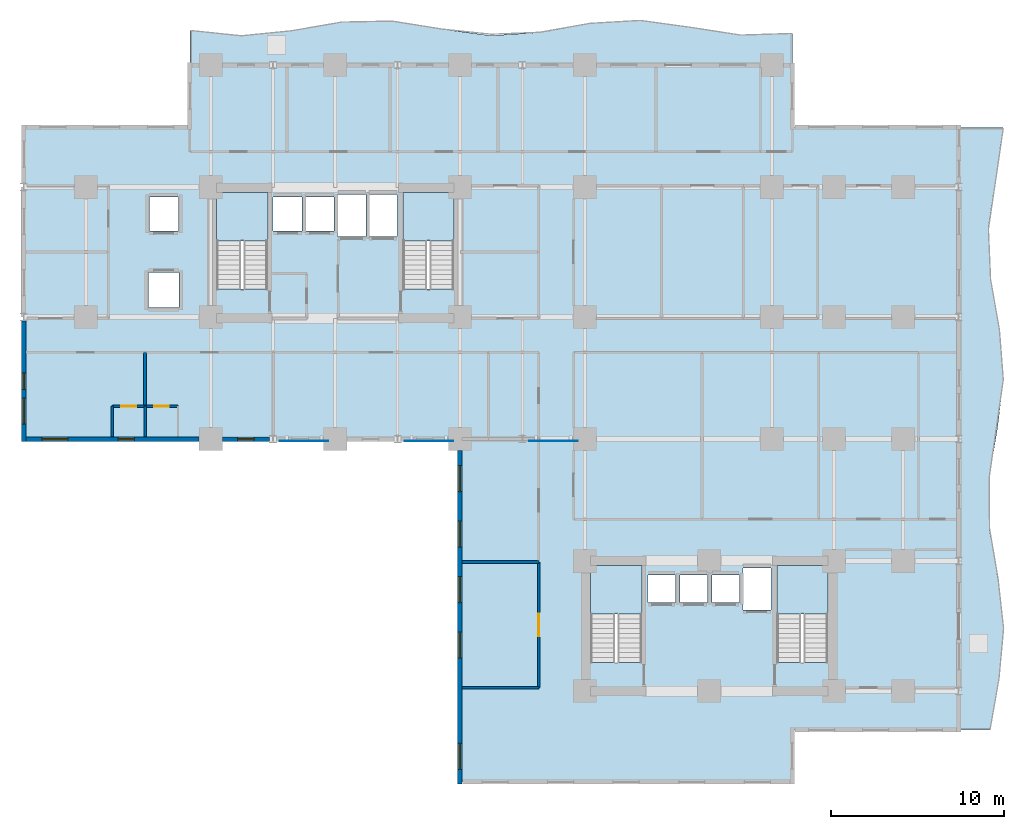
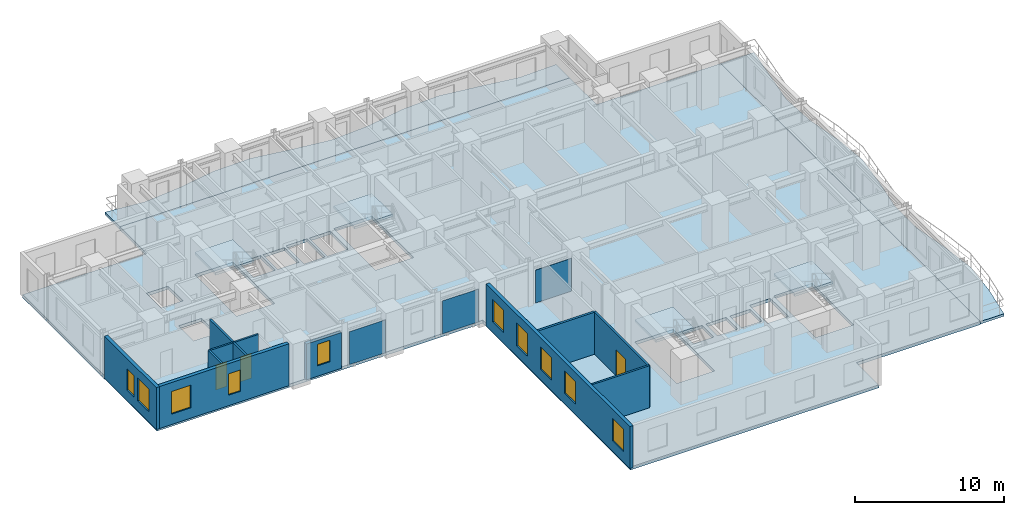
# One storey, part 2 of 11: 12 walls, 10 windows, 7 slabs, 3 doors, 3 plates, 13 openings, 4 elements without a shape of their own.
"""IFC4 building model written with IfcOpenShell, lengths in metres."""

from ifc_helpers import new_model, si_unit, direction, frame, frame_2d, origin, origin_2d, place, context, subcontext, project, spatial, polyline, rectangle, outline, extrude, source, transform, mapped, material, layer, layer_set, type_object, element, fill, aggregate, save


model = new_model("IFC4")

# Units and contexts
model_context = context("Model", 3, precision=1e-05, world=origin(), true_north=direction((0.0, 1.0)))
body_context = subcontext(model_context, "Body", "Model", "MODEL_VIEW")
ifc_project = project(units=[si_unit("LENGTHUNIT", "METRE"), si_unit("AREAUNIT", "SQUARE_METRE"), si_unit("VOLUMEUNIT", "CUBIC_METRE"), si_unit("PLANEANGLEUNIT", "RADIAN"), si_unit("MASSUNIT", "GRAM", prefix="KILO")], contexts=[model_context])

# Site, building, storey
site_placement = place(None, origin())
site = spatial("IfcSite", under=ifc_project, at=site_placement, CompositionType="ELEMENT")
building_placement = place(site_placement, origin())
building = spatial("IfcBuilding", under=site, at=building_placement, Name="Kaliganga Portal Commons", CompositionType="ELEMENT")
storey_placement = place(building_placement, frame((0.0, 0.0, 58.60009765625)))
storey = spatial("IfcBuildingStorey", under=building, at=storey_placement, Name="L14", CompositionType="ELEMENT", Elevation=58.60009765625)

# Slabs
ifc_material_1 = material(Name="Concrete C40/50", Category="concrete")
ifc_layer_1 = layer(ifc_material_1, 0.2099609375)
ifc_layer_set_1 = layer_set([ifc_layer_1], Name="Concrete C40/50")
slab_type_1 = type_object("IfcSlabType", Name="SLB-BALC-210", PredefinedType="FLOOR", material=ifc_layer_set_1)
slab_1_placement = place(storey_placement, frame((0.0, 0.0, -0.210205078125)))
element("IfcSlab", 1, at=slab_1_placement, inside=storey, type_object=slab_type_1, Name="Scalloped Tree-Planter Balcony Slab L14 balc_north", PredefinedType="FLOOR", context=body_context, shape_type="SweptSolid", body=[
    extrude(outline(polyline([(48.0, 43.199951171875), (48.0, 45.020263671875), (45.10009765625, 44.927978515625), (42.199951171875, 45.376708984375), (39.300048828125, 45.781982421875), (36.39990234375, 45.615478515625), (33.5, 45.094482421875), (30.60009765625, 44.8974609375), (27.699951171875, 45.28125), (24.800048828125, 45.745849609375), (21.89990234375, 45.685791015625), (19.0, 45.1796875), (16.10009765625, 44.886474609375), (13.199951171875, 45.1884765625), (13.199951171875, 43.199951171875), (48.0, 43.199951171875)])), origin(), (0.0, 0.0, 1.0), 0.210205078125),
])
slab_2_placement = place(storey_placement, frame((0.0, 0.0, -0.210205078125)))
element("IfcSlab", 2, at=slab_2_placement, inside=storey, type_object=slab_type_1, Name="Scalloped Tree-Planter Balcony Slab L14 balc_east", PredefinedType="FLOOR", context=body_context, shape_type="SweptSolid", body=[
    extrude(outline(polyline([(57.60009765625, 4.800048828125), (59.42041015625, 4.800048828125), (59.933349609375, 7.699951171875), (60.19873046875, 10.60009765625), (59.87060546875, 13.5), (59.376708984375, 16.39990234375), (59.360107421875, 19.300048828125), (59.843017578125, 22.199951171875), (60.19580078125, 25.10009765625), (59.958984375, 28.0), (59.441162109375, 30.89990234375), (59.31689453125, 33.800048828125), (59.748046875, 36.699951171875), (60.173095703125, 39.60009765625), (57.60009765625, 39.60009765625), (57.60009765625, 4.800048828125)])), origin(), (0.0, 0.0, 1.0), 0.210205078125),
])

# Stair, slab
stair_type = type_object("IfcStairType", Name="ST-CORE-DOGLEG", PredefinedType="HALF_TURN_STAIR", material=ifc_material_1)
stair_1_placement = place(storey_placement, origin())
stair_1 = element("IfcStair", 3, at=stair_1_placement, inside=storey, type_object=stair_type, Name="L14 Protected Exit Stair ST-A1", PredefinedType="HALF_TURN_STAIR")
ifc_layer_2 = layer(ifc_material_1, 0.199951171875)
ifc_layer_set_2 = layer_set([ifc_layer_2], Name="Concrete C40/50")
slab_type_2 = type_object("IfcSlabType", Name="SLB-STAIR-LND", PredefinedType="LANDING", material=ifc_layer_set_2)
slab_3_placement = place(storey_placement, frame((0.0, 0.0, 1.64990234375)))
slab_3 = element("IfcSlab", 4, at=slab_3_placement, type_object=slab_type_2, Name="ST-A1 landing 1", PredefinedType="LANDING", context=body_context, shape_type="SweptSolid", body=[
    extrude(outline(polyline([(17.699951171875, 33.050048828125), (17.699951171875, 35.85009765625), (14.75, 35.85009765625), (14.75, 33.050048828125), (17.699951171875, 33.050048828125)])), origin(), (0.0, 0.0, 1.0), 0.199951171875),
])
aggregate(stair_1, [slab_3])

stair_2_placement = place(storey_placement, origin())
stair_2 = element("IfcStair", 5, at=stair_2_placement, inside=storey, type_object=stair_type, Name="L14 Protected Exit Stair ST-A2", PredefinedType="HALF_TURN_STAIR")
slab_4_placement = place(storey_placement, frame((0.0, 0.0, 1.64990234375)))
slab_4 = element("IfcSlab", 6, at=slab_4_placement, type_object=slab_type_2, Name="ST-A2 landing 1", PredefinedType="LANDING", context=body_context, shape_type="SweptSolid", body=[
    extrude(outline(polyline([(28.449951171875, 33.050048828125), (28.449951171875, 35.85009765625), (25.5, 35.85009765625), (25.5, 33.050048828125), (28.449951171875, 33.050048828125)])), origin(), (0.0, 0.0, 1.0), 0.199951171875),
])
aggregate(stair_2, [slab_4])

stair_3_placement = place(storey_placement, origin())
stair_3 = element("IfcStair", 7, at=stair_3_placement, inside=storey, type_object=stair_type, Name="L14 Protected Exit Stair ST-B1", PredefinedType="HALF_TURN_STAIR")
slab_5_placement = place(storey_placement, frame((0.0, 0.0, 1.64990234375)))
slab_5 = element("IfcSlab", 8, at=slab_5_placement, type_object=slab_type_2, Name="ST-B1 landing 1", PredefinedType="LANDING", context=body_context, shape_type="SweptSolid", body=[
    extrude(outline(polyline([(39.300048828125, 11.5), (39.300048828125, 14.300048828125), (36.35009765625, 14.300048828125), (36.35009765625, 11.5), (39.300048828125, 11.5)])), origin(), (0.0, 0.0, 1.0), 0.199951171875),
])
aggregate(stair_3, [slab_5])

stair_4_placement = place(storey_placement, origin())
stair_4 = element("IfcStair", 9, at=stair_4_placement, inside=storey, type_object=stair_type, Name="L14 Protected Exit Stair ST-B2", PredefinedType="HALF_TURN_STAIR")
slab_6_placement = place(storey_placement, frame((0.0, 0.0, 1.64990234375)))
slab_6 = element("IfcSlab", 10, at=slab_6_placement, type_object=slab_type_2, Name="ST-B2 landing 1", PredefinedType="LANDING", context=body_context, shape_type="SweptSolid", body=[
    extrude(outline(polyline([(50.050048828125, 11.5), (50.050048828125, 14.300048828125), (47.10009765625, 14.300048828125), (47.10009765625, 11.5), (50.050048828125, 11.5)])), origin(), (0.0, 0.0, 1.0), 0.199951171875),
])
aggregate(stair_4, [slab_6])

# Slab
ifc_layer_3 = layer(ifc_material_1, 0.25)
ifc_layer_set_3 = layer_set([ifc_layer_3], Name="Concrete C40/50")
slab_type_3 = type_object("IfcSlabType", Name="SLB-TWR-250", PredefinedType="FLOOR", material=ifc_layer_set_3)
slab_7_placement = place(storey_placement, frame((0.0, 0.0, -0.25)))
element("IfcSlab", 11, at=slab_7_placement, inside=storey, type_object=slab_type_3, Name="Structural Floor Slab L14", PredefinedType="FLOOR", context=body_context, shape_type="SweptSolid", body=[
    extrude(outline(polyline([(28.800048828125, 1.800048828125), (48.0, 1.800048828125), (48.0, 4.800048828125), (57.60009765625, 4.800048828125), (57.60009765625, 39.60009765625), (48.0, 39.60009765625), (48.0, 43.199951171875), (13.199951171875, 43.199951171875), (13.199951171875, 39.60009765625), (3.60009765625, 39.60009765625), (3.60009765625, 21.60009765625), (28.800048828125, 21.60009765625), (28.800048828125, 1.800048828125)]), holes=[polyline([(14.75, 30.25390625), (14.75, 35.85009765625), (17.699951171875, 35.85009765625), (17.699951171875, 30.25390625), (14.75, 30.25390625)]), polyline([(25.5, 30.25390625), (25.5, 35.85009765625), (28.449951171875, 35.85009765625), (28.449951171875, 30.25390625), (25.5, 30.25390625)]), polyline([(36.35009765625, 8.7041015625), (36.35009765625, 14.300048828125), (39.300048828125, 14.300048828125), (39.300048828125, 8.7041015625), (36.35009765625, 8.7041015625)]), polyline([(47.10009765625, 8.7041015625), (47.10009765625, 14.300048828125), (50.050048828125, 14.300048828125), (50.050048828125, 8.7041015625), (47.10009765625, 8.7041015625)]), polyline([(18.014892578125, 33.614990234375), (18.014892578125, 35.5849609375), (19.68505859375, 35.5849609375), (19.68505859375, 33.614990234375), (18.014892578125, 33.614990234375)]), polyline([(19.864990234375, 33.614990234375), (19.864990234375, 35.5849609375), (21.534912109375, 35.5849609375), (21.534912109375, 33.614990234375), (19.864990234375, 33.614990234375)]), polyline([(10.81494140625, 29.18994140625), (10.81494140625, 31.2099609375), (12.5849609375, 31.2099609375), (12.5849609375, 29.18994140625), (10.81494140625, 29.18994140625)]), polyline([(10.864990234375, 33.614990234375), (10.864990234375, 35.5849609375), (12.534912109375, 35.5849609375), (12.534912109375, 33.614990234375), (10.864990234375, 33.614990234375)]), polyline([(21.739990234375, 33.2900390625), (21.739990234375, 35.7099609375), (23.360107421875, 35.7099609375), (23.360107421875, 33.2900390625), (21.739990234375, 33.2900390625)]), polyline([(23.5400390625, 33.2900390625), (23.5400390625, 35.7099609375), (25.159912109375, 35.7099609375), (25.159912109375, 33.2900390625), (23.5400390625, 33.2900390625)]), polyline([(39.6650390625, 12.1650390625), (39.6650390625, 13.735107421875), (41.235107421875, 13.735107421875), (41.235107421875, 12.1650390625), (39.6650390625, 12.1650390625)]), polyline([(41.514892578125, 12.1650390625), (41.514892578125, 13.735107421875), (43.0849609375, 13.735107421875), (43.0849609375, 12.1650390625), (41.514892578125, 12.1650390625)]), polyline([(43.364990234375, 12.1650390625), (43.364990234375, 13.735107421875), (44.93505859375, 13.735107421875), (44.93505859375, 12.1650390625), (43.364990234375, 12.1650390625)]), polyline([(45.139892578125, 11.739990234375), (45.139892578125, 14.159912109375), (46.760009765625, 14.159912109375), (46.760009765625, 11.739990234375), (45.139892578125, 11.739990234375)])]), origin(), (0.0, 0.0, 1.0), 0.25),
])

# Plates
ifc_material_2 = material(Name="Perforated Bronze-Anodized Aluminium Solar Screen", Category="aluminium")
ifc_layer_4 = layer(ifc_material_2, 0.01806640625)
ifc_layer_set_4 = layer_set([ifc_layer_4], Name="Perforated Bronze-Anodized Aluminium Solar Screen")
plate_type = type_object("IfcPlateType", Name="PLT-SCR-18", PredefinedType="USERDEFINED", material=ifc_layer_set_4)
shared_shape = source(origin(), body_context, "Body", "SweptSolid", [
    extrude(rectangle(XDim=2.800048828125, YDim=0.01806640625, at=origin_2d()), origin(), (0.0, 0.0, 1.0), 2.68994140625),
])
for number, where, z_axis, x_axis, name in (
    (12, (19.800048828125, 21.47998046875, 0.079833984375), (0.0, 0.0, 1.0), (1.0, 0.0, 0.0), "Perforated Solar Screen L14-S1"),
    (13, (27.0, 21.47998046875, 0.079833984375), (0.0, 0.0, 1.0), (1.0, 0.0, 0.0), "Perforated Solar Screen L14-S2"),
    (14, (34.199951171875, 21.47998046875, 0.079833984375), (0.0, 0.0, 1.0), (1.0, 0.0, 0.0), "Perforated Solar Screen L14-S3"),
):
    element("IfcPlate", number, at=place(storey_placement, frame(where, z_axis=z_axis, x_axis=x_axis)), inside=storey, type_object=plate_type, Name=name, ObjectType="SOLAR SCREEN", PredefinedType="USERDEFINED", context=body_context, shape_type="MappedRepresentation", body=[
        mapped(shared_shape, transform((0.0, 0.0, 0.0), x_axis=(1.0, 0.0, 0.0), y_axis=(0.0, 1.0, 0.0), z_axis=(0.0, 0.0, 1.0), scale=1.0)),
    ])

# Wall, openings, windows
ifc_material_3 = material(Name="Insulated Aluminium-Clad Spandrel Assembly", Category="aluminium")
ifc_layer_5 = layer(ifc_material_3, 0.260009765625)
ifc_layer_set_5 = layer_set([ifc_layer_5], Name="Insulated Aluminium-Clad Spandrel Assembly")
wall_type_1 = type_object("IfcWallType", Name="WL-EXT-SPAND-260", PredefinedType="STANDARD", material=ifc_layer_set_5)
wall_1_placement = place(storey_placement, frame((3.60009765625, 21.469970703125, 0.0), z_axis=(0.0, 0.0, 1.0), x_axis=(0.0, 1.0, 0.0)))
wall_1 = element("IfcWall", 15, at=wall_1_placement, inside=storey, type_object=wall_type_1, Name="Exterior Envelope Wall L14 P1-E09-S3", PredefinedType="STANDARD", context=body_context, shape_type="SweptSolid", body=[
    extrude(rectangle(XDim=6.9560546875, YDim=0.260009765625, at=frame_2d((3.47802734375, 0.0))), origin(), (0.0, 0.0, 1.0), 3.429931640625),
])
opening_1_placement = place(wall_1_placement, frame((0.989013671875, 0.0, 0.85009765625)))
opening_1 = element("IfcOpeningElement", 16, at=opening_1_placement, cuts=wall_1, Name="Opening W-02", PredefinedType="OPENING", context=body_context, shape_type="SweptSolid", body=[
    extrude(rectangle(XDim=1.5, YDim=1.85009765625, at=frame_2d((0.75, 0.925048828125))), frame((0.0, 0.14013671875, 0.0), z_axis=(0.0, -1.0, 0.0), x_axis=(1.0, 0.0, 0.0)), (0.0, 0.0, 1.0), 0.280029296875),
])
opening_2_placement = place(wall_1_placement, frame((3.0029296875, 0.0, 0.85009765625)))
opening_2 = element("IfcOpeningElement", 17, at=opening_2_placement, cuts=wall_1, Name="Opening W-04", PredefinedType="OPENING", context=body_context, shape_type="SweptSolid", body=[
    extrude(rectangle(XDim=0.949951171875, YDim=1.75, at=frame_2d((0.47509765625, 0.875))), frame((0.0, 0.14013671875, 0.0), z_axis=(0.0, -1.0, 0.0), x_axis=(1.0, 0.0, 0.0)), (0.0, 0.0, 1.0), 0.280029296875),
])
ifc_material_4 = material(Name="Thermally Broken Aluminium and Low-E Double Glazing", Category="aluminium")
window_type_1 = type_object("IfcWindowType", Name="WIN-NARROW-950", PartitioningType="SINGLE_PANEL", PredefinedType="WINDOW", material=ifc_material_4)
window_1_placement = place(opening_2_placement, origin())
window_1 = element("IfcWindow", 18, at=window_1_placement, inside=storey, type_object=window_type_1, Name="Facade Window L14-P1E09S3-N0", OverallHeight=1.75, OverallWidth=0.949951171875, PartitioningType="SINGLE_PANEL", PredefinedType="WINDOW", context=body_context, shape_type="SweptSolid", body=[
    extrude(rectangle(XDim=0.949951171875, YDim=1.75, at=frame_2d((0.47509765625, 0.875))), frame((0.0, 0.030029296875, 0.0), z_axis=(0.0, -1.0, 0.0), x_axis=(1.0, 0.0, 0.0)), (0.0, 0.0, 1.0), 0.06005859375),
])
fill(opening_2, window_1)
window_type_2 = type_object("IfcWindowType", Name="WIN-STD-1500", PartitioningType="DOUBLE_PANEL_VERTICAL", PredefinedType="WINDOW", material=ifc_material_4)
window_2_placement = place(opening_1_placement, origin())
window_2 = element("IfcWindow", 19, at=window_2_placement, inside=storey, type_object=window_type_2, Name="Facade Window L14-P1E09S3-00", OverallHeight=1.85009765625, OverallWidth=1.5, PartitioningType="SINGLE_PANEL", PredefinedType="WINDOW", context=body_context, shape_type="SweptSolid", body=[
    extrude(rectangle(XDim=1.5, YDim=1.85009765625, at=frame_2d((0.75, 0.925048828125))), frame((0.0, 0.030029296875, 0.0), z_axis=(0.0, -1.0, 0.0), x_axis=(1.0, 0.0, 0.0)), (0.0, 0.0, 1.0), 0.06005859375),
])
fill(opening_1, window_2)

wall_2_placement = place(storey_placement, frame((13.72412109375, 21.60009765625, 0.0), z_axis=(0.0, 0.0, 1.0), x_axis=(-1.0, 0.0, 0.0)))
wall_2 = element("IfcWall", 20, at=wall_2_placement, inside=storey, type_object=wall_type_1, Name="Exterior Envelope Wall L14 P1-E10-S1", PredefinedType="STANDARD", context=body_context, shape_type="SweptSolid", body=[
    extrude(rectangle(XDim=9.989013671875, YDim=0.260009765625, at=frame_2d((4.99462890625, 0.0))), origin(), (0.0, 0.0, 1.0), 3.429931640625),
])
opening_3_placement = place(wall_2_placement, frame((7.57421875, 0.0, 0.85009765625)))
opening_3 = element("IfcOpeningElement", 21, at=opening_3_placement, cuts=wall_2, Name="Opening W-02", PredefinedType="OPENING", context=body_context, shape_type="SweptSolid", body=[
    extrude(rectangle(XDim=1.5, YDim=1.85009765625, at=frame_2d((0.75, 0.925048828125))), frame((0.0, 0.14013671875, 0.0), z_axis=(0.0, -1.0, 0.0), x_axis=(1.0, 0.0, 0.0)), (0.0, 0.0, 1.0), 0.280029296875),
])
opening_4_placement = place(wall_2_placement, frame((3.720458984375, 0.0, 0.85009765625)))
opening_4 = element("IfcOpeningElement", 22, at=opening_4_placement, cuts=wall_2, Name="Opening W-04", PredefinedType="OPENING", context=body_context, shape_type="SweptSolid", body=[
    extrude(rectangle(XDim=0.949951171875, YDim=1.75, at=frame_2d((0.47509765625, 0.875))), frame((0.0, 0.14013671875, 0.0), z_axis=(0.0, -1.0, 0.0), x_axis=(1.0, 0.0, 0.0)), (0.0, 0.0, 1.0), 0.280029296875),
])
window_3_placement = place(opening_4_placement, origin())
window_3 = element("IfcWindow", 23, at=window_3_placement, inside=storey, type_object=window_type_1, Name="Facade Window L14-P1E10S1-N5", OverallHeight=1.75, OverallWidth=0.949951171875, PartitioningType="SINGLE_PANEL", PredefinedType="WINDOW", context=body_context, shape_type="SweptSolid", body=[
    extrude(rectangle(XDim=0.949951171875, YDim=1.75, at=frame_2d((0.47509765625, 0.875))), frame((0.0, 0.030029296875, 0.0), z_axis=(0.0, -1.0, 0.0), x_axis=(1.0, 0.0, 0.0)), (0.0, 0.0, 1.0), 0.06005859375),
])
fill(opening_4, window_3)
window_4_placement = place(opening_3_placement, origin())
window_4 = element("IfcWindow", 24, at=window_4_placement, inside=storey, type_object=window_type_2, Name="Facade Window L14-P1E10S1-02", OverallHeight=1.85009765625, OverallWidth=1.5, PartitioningType="SINGLE_PANEL", PredefinedType="WINDOW", context=body_context, shape_type="SweptSolid", body=[
    extrude(rectangle(XDim=1.5, YDim=1.85009765625, at=frame_2d((0.75, 0.925048828125))), frame((0.0, 0.030029296875, 0.0), z_axis=(0.0, -1.0, 0.0), x_axis=(1.0, 0.0, 0.0)), (0.0, 0.0, 1.0), 0.06005859375),
])
fill(opening_3, window_4)

# Wall, opening, window
wall_3_placement = place(storey_placement, frame((17.791015625, 21.60009765625, 0.0), z_axis=(0.0, 0.0, 1.0), x_axis=(-1.0, 0.0, 0.0)))
wall_3 = element("IfcWall", 25, at=wall_3_placement, inside=storey, type_object=wall_type_1, Name="Exterior Envelope Wall L14 P1-E10-S2", PredefinedType="STANDARD", context=body_context, shape_type="SweptSolid", body=[
    extrude(rectangle(XDim=2.715087890625, YDim=0.260009765625, at=frame_2d((1.357421875, 0.0))), origin(), (0.0, 0.0, 1.0), 2.929931640625),
])
opening_5_placement = place(wall_3_placement, frame((0.882568359375, 0.0, 0.85009765625)))
opening_5 = element("IfcOpeningElement", 26, at=opening_5_placement, cuts=wall_3, Name="Opening W-04", PredefinedType="OPENING", context=body_context, shape_type="SweptSolid", body=[
    extrude(rectangle(XDim=0.949951171875, YDim=1.75, at=frame_2d((0.47509765625, 0.875))), frame((0.0, 0.14013671875, 0.0), z_axis=(0.0, -1.0, 0.0), x_axis=(1.0, 0.0, 0.0)), (0.0, 0.0, 1.0), 0.280029296875),
])
window_5_placement = place(opening_5_placement, origin())
window_5 = element("IfcWindow", 27, at=window_5_placement, inside=storey, type_object=window_type_1, Name="Facade Window L14-P1E10S2-00", OverallHeight=1.75, OverallWidth=0.949951171875, PartitioningType="SINGLE_PANEL", PredefinedType="WINDOW", context=body_context, shape_type="SweptSolid", body=[
    extrude(rectangle(XDim=0.949951171875, YDim=1.75, at=frame_2d((0.47509765625, 0.875))), frame((0.0, 0.030029296875, 0.0), z_axis=(0.0, -1.0, 0.0), x_axis=(1.0, 0.0, 0.0)), (0.0, 0.0, 1.0), 0.06005859375),
])
fill(opening_5, window_5)

# Wall, openings, windows
wall_4_placement = place(storey_placement, frame((28.800048828125, 1.669921875, 0.0), z_axis=(0.0, 0.0, 1.0), x_axis=(0.0, 1.0, 0.0)))
wall_4 = element("IfcWall", 28, at=wall_4_placement, inside=storey, type_object=wall_type_1, Name="Exterior Envelope Wall L14 P1-E11-S1", PredefinedType="STANDARD", context=body_context, shape_type="SweptSolid", body=[
    extrude(rectangle(XDim=19.254150390625, YDim=0.260009765625, at=frame_2d((9.626953125, 0.0))), origin(), (0.0, 0.0, 1.0), 3.429931640625),
])
opening_6_placement = place(wall_4_placement, frame((0.8544921875, 0.0, 0.85009765625)))
opening_6 = element("IfcOpeningElement", 29, at=opening_6_placement, cuts=wall_4, Name="Opening W-02", PredefinedType="OPENING", context=body_context, shape_type="SweptSolid", body=[
    extrude(rectangle(XDim=1.5, YDim=1.85009765625, at=frame_2d((0.75, 0.925048828125))), frame((0.0, 0.14013671875, 0.0), z_axis=(0.0, -1.0, 0.0), x_axis=(1.0, 0.0, 0.0)), (0.0, 0.0, 1.0), 0.280029296875),
])
opening_7_placement = place(wall_4_placement, frame((7.2724609375, 0.0, 0.85009765625)))
opening_7 = element("IfcOpeningElement", 30, at=opening_7_placement, cuts=wall_4, Name="Opening W-02", PredefinedType="OPENING", context=body_context, shape_type="SweptSolid", body=[
    extrude(rectangle(XDim=1.5, YDim=1.85009765625, at=frame_2d((0.75, 0.925048828125))), frame((0.0, 0.14013671875, 0.0), z_axis=(0.0, -1.0, 0.0), x_axis=(1.0, 0.0, 0.0)), (0.0, 0.0, 1.0), 0.280029296875),
])
opening_8_placement = place(wall_4_placement, frame((10.4814453125, 0.0, 0.85009765625)))
opening_8 = element("IfcOpeningElement", 31, at=opening_8_placement, cuts=wall_4, Name="Opening W-02", PredefinedType="OPENING", context=body_context, shape_type="SweptSolid", body=[
    extrude(rectangle(XDim=1.5, YDim=1.85009765625, at=frame_2d((0.75, 0.925048828125))), frame((0.0, 0.14013671875, 0.0), z_axis=(0.0, -1.0, 0.0), x_axis=(1.0, 0.0, 0.0)), (0.0, 0.0, 1.0), 0.280029296875),
])
opening_9_placement = place(wall_4_placement, frame((13.6904296875, 0.0, 0.85009765625)))
opening_9 = element("IfcOpeningElement", 32, at=opening_9_placement, cuts=wall_4, Name="Opening W-02", PredefinedType="OPENING", context=body_context, shape_type="SweptSolid", body=[
    extrude(rectangle(XDim=1.5, YDim=1.85009765625, at=frame_2d((0.75, 0.925048828125))), frame((0.0, 0.14013671875, 0.0), z_axis=(0.0, -1.0, 0.0), x_axis=(1.0, 0.0, 0.0)), (0.0, 0.0, 1.0), 0.280029296875),
])
opening_10_placement = place(wall_4_placement, frame((16.8994140625, 0.0, 0.85009765625)))
opening_10 = element("IfcOpeningElement", 33, at=opening_10_placement, cuts=wall_4, Name="Opening W-02", PredefinedType="OPENING", context=body_context, shape_type="SweptSolid", body=[
    extrude(rectangle(XDim=1.5, YDim=1.85009765625, at=frame_2d((0.75, 0.925048828125))), frame((0.0, 0.14013671875, 0.0), z_axis=(0.0, -1.0, 0.0), x_axis=(1.0, 0.0, 0.0)), (0.0, 0.0, 1.0), 0.280029296875),
])
window_6_placement = place(opening_6_placement, origin())
window_6 = element("IfcWindow", 34, at=window_6_placement, inside=storey, type_object=window_type_2, Name="Facade Window L14-P1E11S1-00", OverallHeight=1.85009765625, OverallWidth=1.5, PartitioningType="SINGLE_PANEL", PredefinedType="WINDOW", context=body_context, shape_type="SweptSolid", body=[
    extrude(rectangle(XDim=1.5, YDim=1.85009765625, at=frame_2d((0.75, 0.925048828125))), frame((0.0, 0.030029296875, 0.0), z_axis=(0.0, -1.0, 0.0), x_axis=(1.0, 0.0, 0.0)), (0.0, 0.0, 1.0), 0.06005859375),
])
fill(opening_6, window_6)
window_7_placement = place(opening_7_placement, origin())
window_7 = element("IfcWindow", 35, at=window_7_placement, inside=storey, type_object=window_type_2, Name="Facade Window L14-P1E11S1-02", OverallHeight=1.85009765625, OverallWidth=1.5, PartitioningType="SINGLE_PANEL", PredefinedType="WINDOW", context=body_context, shape_type="SweptSolid", body=[
    extrude(rectangle(XDim=1.5, YDim=1.85009765625, at=frame_2d((0.75, 0.925048828125))), frame((0.0, 0.030029296875, 0.0), z_axis=(0.0, -1.0, 0.0), x_axis=(1.0, 0.0, 0.0)), (0.0, 0.0, 1.0), 0.06005859375),
])
fill(opening_7, window_7)
window_8_placement = place(opening_8_placement, origin())
window_8 = element("IfcWindow", 36, at=window_8_placement, inside=storey, type_object=window_type_2, Name="Facade Window L14-P1E11S1-03", OverallHeight=1.85009765625, OverallWidth=1.5, PartitioningType="SINGLE_PANEL", PredefinedType="WINDOW", context=body_context, shape_type="SweptSolid", body=[
    extrude(rectangle(XDim=1.5, YDim=1.85009765625, at=frame_2d((0.75, 0.925048828125))), frame((0.0, 0.030029296875, 0.0), z_axis=(0.0, -1.0, 0.0), x_axis=(1.0, 0.0, 0.0)), (0.0, 0.0, 1.0), 0.06005859375),
])
fill(opening_8, window_8)
window_9_placement = place(opening_9_placement, origin())
window_9 = element("IfcWindow", 37, at=window_9_placement, inside=storey, type_object=window_type_2, Name="Facade Window L14-P1E11S1-04", OverallHeight=1.85009765625, OverallWidth=1.5, PartitioningType="SINGLE_PANEL", PredefinedType="WINDOW", context=body_context, shape_type="SweptSolid", body=[
    extrude(rectangle(XDim=1.5, YDim=1.85009765625, at=frame_2d((0.75, 0.925048828125))), frame((0.0, 0.030029296875, 0.0), z_axis=(0.0, -1.0, 0.0), x_axis=(1.0, 0.0, 0.0)), (0.0, 0.0, 1.0), 0.06005859375),
])
fill(opening_9, window_9)
window_10_placement = place(opening_10_placement, origin())
window_10 = element("IfcWindow", 38, at=window_10_placement, inside=storey, type_object=window_type_2, Name="Facade Window L14-P1E11S1-05", OverallHeight=1.85009765625, OverallWidth=1.5, PartitioningType="SINGLE_PANEL", PredefinedType="WINDOW", context=body_context, shape_type="SweptSolid", body=[
    extrude(rectangle(XDim=1.5, YDim=1.85009765625, at=frame_2d((0.75, 0.925048828125))), frame((0.0, 0.030029296875, 0.0), z_axis=(0.0, -1.0, 0.0), x_axis=(1.0, 0.0, 0.0)), (0.0, 0.0, 1.0), 0.06005859375),
])
fill(opening_10, window_10)

# Wall, opening, door
ifc_material_5 = material(Name="Fire-Rated Gypsum Board on Steel Stud", Category="steel")
ifc_layer_6 = layer(ifc_material_5, 0.14990234375)
ifc_layer_set_6 = layer_set([ifc_layer_6], Name="Fire-Rated Gypsum Board on Steel Stud")
wall_type_2 = type_object("IfcWallType", Name="WL-PART-CORR-150", PredefinedType="PARTITIONING", material=ifc_layer_set_6)
wall_5_placement = place(storey_placement, frame((33.360107421875, 7.239990234375, 0.0), z_axis=(0.0, 0.0, 1.0), x_axis=(0.0, 1.0, 0.0)))
wall_5 = element("IfcWall", 39, at=wall_5_placement, inside=storey, type_object=wall_type_2, Name="Interior Partition L14-015", PredefinedType="PARTITIONING", context=body_context, shape_type="SweptSolid", body=[
    extrude(rectangle(XDim=7.260009765625, YDim=0.14990234375, at=frame_2d((3.6298828125, 0.0))), origin(), (0.0, 0.0, 1.0), 3.429931640625),
])
opening_11_placement = place(wall_5_placement, frame((2.97998046875, 0.0, 0.0)))
opening_11 = element("IfcOpeningElement", 40, at=opening_11_placement, cuts=wall_5, Name="Opening RD-03", PredefinedType="OPENING", context=body_context, shape_type="SweptSolid", body=[
    extrude(rectangle(XDim=1.300048828125, YDim=2.1201171875, at=frame_2d((0.64990234375, 1.06005859375))), frame((0.0, 0.0849609375, 0.0), z_axis=(0.0, -1.0, 0.0), x_axis=(1.0, 0.0, 0.0)), (0.0, 0.0, 1.0), 0.169921875),
])
ifc_material_6 = material(Name="Glazed Timber Seminar Vision Door", Category="wood")
door_type_1 = type_object("IfcDoorType", Name="DR-STUDY-1300", OperationType="DOUBLE_DOOR_SINGLE_SWING", PredefinedType="DOOR", material=ifc_material_6)
door_1_placement = place(opening_11_placement, origin())
door_1 = element("IfcDoor", 41, at=door_1_placement, inside=storey, type_object=door_type_1, Name="Interior Door L14-KW01", OperationType="DOUBLE_DOOR_SINGLE_SWING", OverallHeight=2.1201171875, OverallWidth=1.300048828125, PredefinedType="DOOR", context=body_context, shape_type="SweptSolid", body=[
    extrude(rectangle(XDim=1.300048828125, YDim=2.1201171875, at=frame_2d((0.64990234375, 1.06005859375))), frame((0.0, 0.02490234375, 0.0), z_axis=(0.0, -1.0, 0.0), x_axis=(1.0, 0.0, 0.0)), (0.0, 0.0, 1.0), 0.050048828125),
])
fill(opening_11, door_1)

# Walls
wall_6_placement = place(storey_placement, frame((28.931884765625, 7.239990234375, 0.0), z_axis=(0.0, 0.0, 1.0), x_axis=(1.0, 0.0, 0.0)))
element("IfcWall", 42, at=wall_6_placement, inside=storey, type_object=wall_type_2, Name="Interior Partition L14-033", PredefinedType="PARTITIONING", context=body_context, shape_type="SweptSolid", body=[
    extrude(rectangle(XDim=4.42822265625, YDim=0.14990234375, at=frame_2d((2.214111328125, 0.0))), origin(), (0.0, 0.0, 1.0), 3.429931640625),
])
ifc_material_7 = material(Name="Twin-Stud Acoustic Gypsum Partition", Category="gypsum")
ifc_layer_7 = layer(ifc_material_7, 0.1650390625)
ifc_layer_set_7 = layer_set([ifc_layer_7], Name="Twin-Stud Acoustic Gypsum Partition")
wall_type_3 = type_object("IfcWallType", Name="WL-PART-UNIT-165", PredefinedType="PARTITIONING", material=ifc_layer_set_7)
wall_7_placement = place(storey_placement, frame((28.931884765625, 14.5, 0.0), z_axis=(0.0, 0.0, 1.0), x_axis=(1.0, 0.0, 0.0)))
element("IfcWall", 43, at=wall_7_placement, inside=storey, type_object=wall_type_3, Name="Interior Partition L14-074", PredefinedType="PARTITIONING", context=body_context, shape_type="SweptSolid", body=[
    extrude(rectangle(XDim=4.42822265625, YDim=0.1650390625, at=frame_2d((2.214111328125, 0.0))), origin(), (0.0, 0.0, 1.0), 3.429931640625),
])
wall_8_placement = place(storey_placement, frame((10.6201171875, 23.5, 0.0), z_axis=(0.0, 0.0, 1.0), x_axis=(0.0, 1.0, 0.0)))
element("IfcWall", 44, at=wall_8_placement, inside=storey, type_object=wall_type_3, Name="Interior Partition L14-079", PredefinedType="PARTITIONING", context=body_context, shape_type="SweptSolid", body=[
    extrude(rectangle(XDim=3.10009765625, YDim=0.1650390625, at=frame_2d((1.550048828125, 0.0))), origin(), (0.0, 0.0, 1.0), 3.429931640625),
])

# Wall, opening, door
ifc_material_8 = material(Name="Cement-Board Wet-Room Partition", Category="gypsum")
ifc_layer_8 = layer(ifc_material_8, 0.135009765625)
ifc_layer_set_8 = layer_set([ifc_layer_8], Name="Cement-Board Wet-Room Partition")
wall_type_4 = type_object("IfcWallType", Name="WL-PART-WET-135", PredefinedType="PARTITIONING", material=ifc_layer_set_8)
wall_9_placement = place(storey_placement, frame((10.6201171875, 23.5, 0.0), z_axis=(0.0, 0.0, 1.0), x_axis=(1.0, 0.0, 0.0)))
wall_9 = element("IfcWall", 45, at=wall_9_placement, inside=storey, type_object=wall_type_4, Name="Interior Partition L14-001", PredefinedType="PARTITIONING", context=body_context, shape_type="SweptSolid", body=[
    extrude(rectangle(XDim=1.89990234375, YDim=0.135009765625, at=frame_2d((0.949951171875, 0.0))), origin(), (0.0, 0.0, 1.0), 3.429931640625),
])
opening_12_placement = place(wall_9_placement, frame((0.52490234375, 0.0, 0.0)))
opening_12 = element("IfcOpeningElement", 46, at=opening_12_placement, cuts=wall_9, Name="Opening WD-01", PredefinedType="OPENING", context=body_context, shape_type="SweptSolid", body=[
    extrude(rectangle(XDim=0.85009765625, YDim=2.0400390625, at=frame_2d((0.425048828125, 1.02001953125))), frame((0.0, 0.07763671875, 0.0), z_axis=(0.0, -1.0, 0.0), x_axis=(1.0, 0.0, 0.0)), (0.0, 0.0, 1.0), 0.155029296875),
])
ifc_material_9 = material(Name="Moisture-Resistant Laminate Timber Door", Category="wood")
door_type_2 = type_object("IfcDoorType", Name="DR-WET-850", OperationType="NOTDEFINED", PredefinedType="DOOR", material=ifc_material_9)
door_2_placement = place(opening_12_placement, origin())
door_2 = element("IfcDoor", 47, at=door_2_placement, inside=storey, type_object=door_type_2, Name="Interior Door L14-AS02E", OperationType="SINGLE_SWING_RIGHT", OverallHeight=2.0400390625, OverallWidth=0.85009765625, PredefinedType="DOOR", context=body_context, shape_type="SweptSolid", body=[
    extrude(rectangle(XDim=0.85009765625, YDim=2.0400390625, at=frame_2d((0.425048828125, 1.02001953125))), frame((0.0, 0.02490234375, 0.0), z_axis=(0.0, -1.0, 0.0), x_axis=(1.0, 0.0, 0.0)), (0.0, 0.0, 1.0), 0.050048828125),
])
fill(opening_12, door_2)

wall_10_placement = place(storey_placement, frame((8.719970703125, 23.5, 0.0), z_axis=(0.0, 0.0, 1.0), x_axis=(1.0, 0.0, 0.0)))
wall_10 = element("IfcWall", 48, at=wall_10_placement, inside=storey, type_object=wall_type_4, Name="Interior Partition L14-002", PredefinedType="PARTITIONING", context=body_context, shape_type="SweptSolid", body=[
    extrude(rectangle(XDim=1.900146484375, YDim=0.135009765625, at=frame_2d((0.9501953125, 0.0))), origin(), (0.0, 0.0, 1.0), 3.429931640625),
])
opening_13_placement = place(wall_10_placement, frame((0.52490234375, 0.0, 0.0)))
opening_13 = element("IfcOpeningElement", 49, at=opening_13_placement, cuts=wall_10, Name="Opening WD-01", PredefinedType="OPENING", context=body_context, shape_type="SweptSolid", body=[
    extrude(rectangle(XDim=0.85009765625, YDim=2.0400390625, at=frame_2d((0.425048828125, 1.02001953125))), frame((0.0, 0.07763671875, 0.0), z_axis=(0.0, -1.0, 0.0), x_axis=(1.0, 0.0, 0.0)), (0.0, 0.0, 1.0), 0.155029296875),
])
door_3_placement = place(opening_13_placement, origin())
door_3 = element("IfcDoor", 50, at=door_3_placement, inside=storey, type_object=door_type_2, Name="Interior Door L14-AS01E", OperationType="SINGLE_SWING_LEFT", OverallHeight=2.0400390625, OverallWidth=0.85009765625, PredefinedType="DOOR", context=body_context, shape_type="SweptSolid", body=[
    extrude(rectangle(XDim=0.85009765625, YDim=2.0400390625, at=frame_2d((0.425048828125, 1.02001953125))), frame((0.0, 0.02490234375, 0.0), z_axis=(0.0, -1.0, 0.0), x_axis=(1.0, 0.0, 0.0)), (0.0, 0.0, 1.0), 0.050048828125),
])
fill(opening_13, door_3)

# Walls
for number, where, z_axis, x_axis, name in (
    (51, (8.719970703125, 21.73193359375, 0.0), (0.0, 0.0, 1.0), (0.0, 1.0, 0.0), "Interior Partition L14-003"),
    (52, (10.6201171875, 21.73193359375, 0.0), (0.0, 0.0, 1.0), (0.0, 1.0, 0.0), "Interior Partition L14-004"),
):
    element("IfcWall", number, at=place(storey_placement, frame(where, z_axis=z_axis, x_axis=x_axis)), inside=storey, type_object=wall_type_4, Name=name, PredefinedType="PARTITIONING", context=body_context, shape_type="SweptSolid", body=[
        extrude(rectangle(XDim=1.76806640625, YDim=0.135009765625, at=frame_2d((0.884033203125, 0.0))), origin(), (0.0, 0.0, 1.0), 3.429931640625),
    ])

save(model, "model.ifc")
